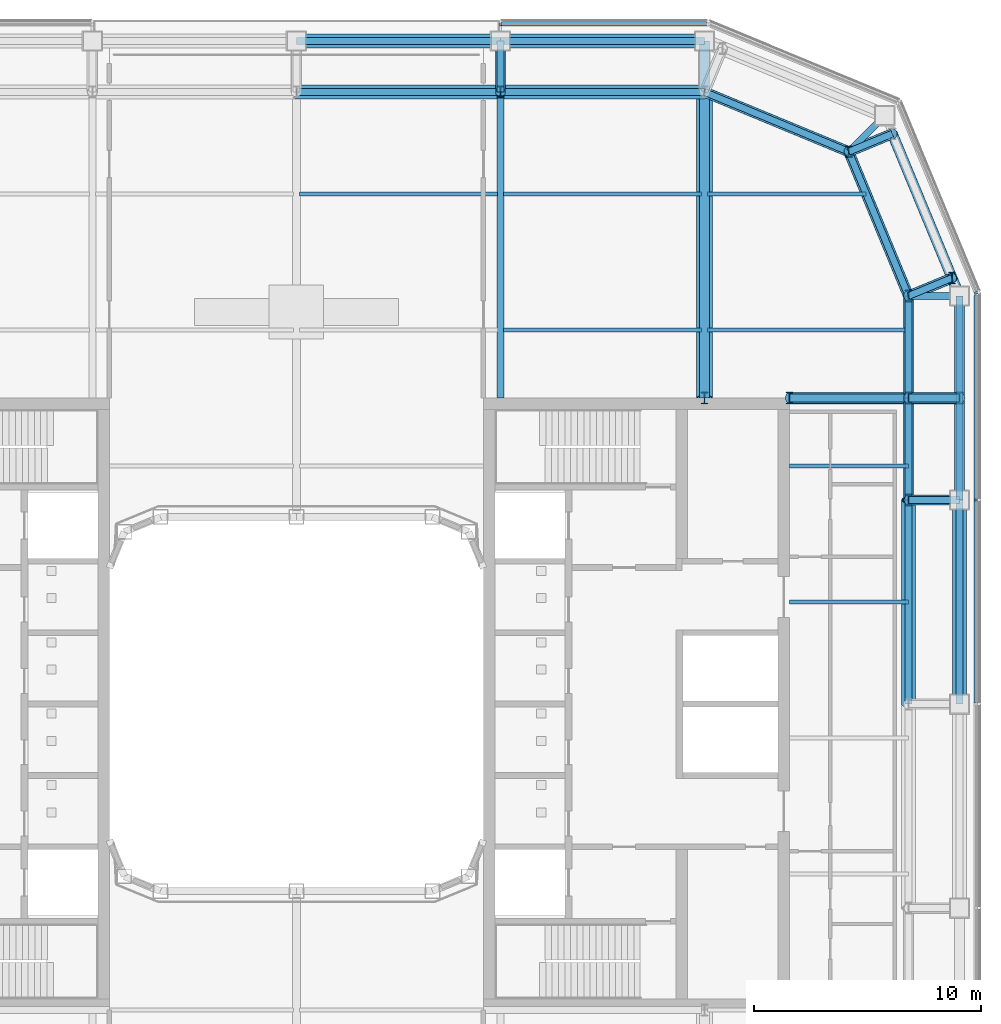
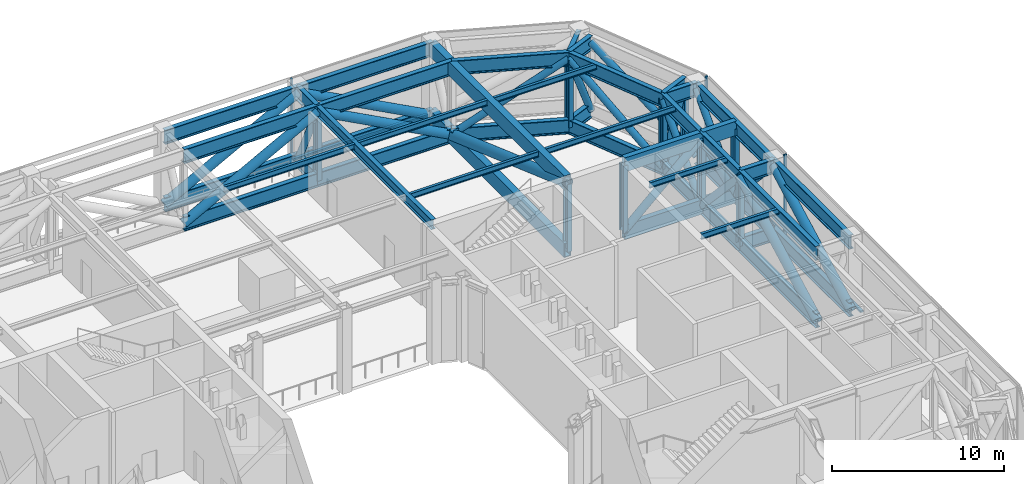
# One storey, part 8 of 22: 46 beams, 35 members, 3 elements without a shape of their own.
"""IFC4 building model written with IfcOpenShell, lengths in metres."""

from ifc_helpers import new_model, si_unit, direction, frame, origin, origin_2d, place, context, subcontext, project, spatial, rectangle, hollow_rectangle, hollow_circle, i_section, extrude, material, layer, layer_set, material_profile, profile_set, type_object, element, aggregate, save


model = new_model("IFC4")

# Units and contexts
model_context = context("Model", 3, precision=1e-05, world=origin(), true_north=direction((0.0, 1.0)))
body_context = subcontext(model_context, "Body", "Model", "MODEL_VIEW")
ifc_project = project(units=[si_unit("LENGTHUNIT", "METRE"), si_unit("AREAUNIT", "SQUARE_METRE"), si_unit("VOLUMEUNIT", "CUBIC_METRE"), si_unit("PLANEANGLEUNIT", "RADIAN"), si_unit("MASSUNIT", "GRAM", prefix="KILO")], contexts=[model_context])

# Site, building, storey
site_placement = place(None, origin())
site = spatial("IfcSite", under=ifc_project, at=site_placement, CompositionType="ELEMENT")
building_placement = place(site_placement, origin())
building = spatial("IfcBuilding", under=site, at=building_placement, Name="Siwar Civic Tower", CompositionType="ELEMENT")
storey_placement = place(building_placement, frame((0.0, 0.0, 181.199951171875)))
storey = spatial("IfcBuildingStorey", under=building, at=storey_placement, Name="L39", CompositionType="ELEMENT", Elevation=181.199951171875)

# Curtain wall, member
ifc_material_1 = material(Name="Aluminium and glass", Category="aluminium")
ifc_layer = layer(ifc_material_1, 0.199951171875)
ifc_layer_set = layer_set([ifc_layer], Name="Aluminium and glass")
curtain_wall_type = type_object("IfcCurtainWallType", Name="ENV-CW-P", PredefinedType="NOTDEFINED", material=ifc_layer_set)
curtain_wall_1_placement = place(storey_placement, origin())
curtain_wall_1 = element("IfcCurtainWall", 1, at=curtain_wall_1_placement, inside=storey, type_object=curtain_wall_type, Name="Curtain wall P E", PredefinedType="NOTDEFINED")
ifc_material_2 = material(Name="Aluminium 6063-T6", Category="aluminium")
ifc_material_profile_1 = material_profile(ifc_material_2, rectangle(XDim=0.199951171875, YDim=0.10009765625, at=origin_2d()), Name="AL 200x100")
ifc_profile_set_1 = profile_set([ifc_material_profile_1], Name="Aluminium 6063-T6")
member_type_1 = type_object("IfcMemberType", Name="ENV-MULLION-P", PredefinedType="MULLION", material=ifc_profile_set_1)
member_1_placement = place(storey_placement, frame((30.0, 9.0, 0.0), z_axis=(0.0, 0.0, 1.0), x_axis=(-1.0, 0.0, 0.0)))
member_1 = element("IfcMember", 2, at=member_1_placement, type_object=member_type_1, Name="Mullion P E 4", PredefinedType="MULLION", context=body_context, shape_type="SweptSolid", body=[
    extrude(rectangle(XDim=0.199951171875, YDim=0.10009765625, at=origin_2d()), origin(), (0.0, 0.0, 1.0), 5.800048828125),
])

curtain_wall_2_placement = place(storey_placement, origin())
curtain_wall_2 = element("IfcCurtainWall", 3, at=curtain_wall_2_placement, inside=storey, type_object=curtain_wall_type, Name="Curtain wall P NE1", PredefinedType="NOTDEFINED")
member_2_placement = place(storey_placement, frame((30.0, 18.149169921875, 0.0), z_axis=(0.0, 0.0, 1.0), x_axis=(-0.923879532511, -0.382683432365, 0.0)))
member_2 = element("IfcMember", 4, at=member_2_placement, type_object=member_type_1, Name="Mullion P NE1 1", PredefinedType="MULLION", context=body_context, shape_type="SweptSolid", body=[
    extrude(rectangle(XDim=0.199951171875, YDim=0.10009765625, at=origin_2d()), origin(), (0.0, 0.0, 1.0), 5.800048828125),
])
aggregate(curtain_wall_2, [member_2])

curtain_wall_3_placement = place(storey_placement, origin())
curtain_wall_3 = element("IfcCurtainWall", 5, at=curtain_wall_3_placement, inside=storey, type_object=curtain_wall_type, Name="Curtain wall P N-00", PredefinedType="NOTDEFINED")
member_3_placement = place(storey_placement, frame((9.0, 30.0, 0.0), z_axis=(0.0, 0.0, 1.0), x_axis=(0.0, -1.0, 0.0)))
member_3 = element("IfcMember", 6, at=member_3_placement, type_object=member_type_1, Name="Mullion P N-00 2", PredefinedType="MULLION", context=body_context, shape_type="SweptSolid", body=[
    extrude(rectangle(XDim=0.199951171875, YDim=0.10009765625, at=origin_2d()), origin(), (0.0, 0.0, 1.0), 5.800048828125),
])

# Member
ifc_material_3 = material(Name="Aluminium 6063-T6", Category="aluminium")
ifc_material_profile_2 = material_profile(ifc_material_3, rectangle(XDim=0.199951171875, YDim=0.1201171875, at=origin_2d()), Name="AL 200x120")
ifc_profile_set_2 = profile_set([ifc_material_profile_2], Name="Aluminium 6063-T6")
member_type_2 = type_object("IfcMemberType", Name="ENV-TRANSOM-P", PredefinedType="USERDEFINED", material=ifc_profile_set_2)
member_4_placement = place(storey_placement, frame((30.0, 0.050048828125, 0.06005859375), z_axis=(0.0, 1.0, 0.0), x_axis=(-1.0, 0.0, 0.0)))
member_4 = element("IfcMember", 7, at=member_4_placement, type_object=member_type_2, Name="Transom P E 3", ObjectType="TRANSOM", PredefinedType="USERDEFINED", context=body_context, shape_type="SweptSolid", body=[
    extrude(rectangle(XDim=0.199951171875, YDim=0.1201171875, at=origin_2d()), origin(), (0.0, 0.0, 1.0), 8.89990234375),
])

member_5_placement = place(storey_placement, frame((30.0, 9.050048828125, 0.06005859375), z_axis=(0.0, 1.0, 0.0), x_axis=(-1.0, 0.0, 0.0)))
member_5 = element("IfcMember", 8, at=member_5_placement, type_object=member_type_2, Name="Transom P E 4", ObjectType="TRANSOM", PredefinedType="USERDEFINED", context=body_context, shape_type="SweptSolid", body=[
    extrude(rectangle(XDim=0.199951171875, YDim=0.1201171875, at=origin_2d()), origin(), (0.0, 0.0, 1.0), 8.97314453125),
])

aggregate(curtain_wall_1, [member_1, member_4, member_5])

member_6_placement = place(storey_placement, frame((18.09912109375, 30.0, 0.06005859375), z_axis=(-1.0, 0.0, 0.0), x_axis=(0.0, -1.0, 0.0)))
member_6 = element("IfcMember", 9, at=member_6_placement, type_object=member_type_2, Name="Transom P N-00 1", ObjectType="TRANSOM", PredefinedType="USERDEFINED", context=body_context, shape_type="SweptSolid", body=[
    extrude(rectangle(XDim=0.199951171875, YDim=0.1201171875, at=origin_2d()), origin(), (0.0, 0.0, 1.0), 9.049072265625),
])

aggregate(curtain_wall_3, [member_3, member_6])

# Beams
ifc_material_4 = material(Name="Steel S460", Category="steel")
ifc_material_profile_3 = material_profile(ifc_material_4, i_section(OverallWidth=0.302001953125, OverallDepth=1.008056640625, WebThickness=0.02099609375, FlangeThickness=0.0400390625, FilletRadius=0.030029296875, at=origin_2d()), Name="HEM1000")
ifc_profile_set_3 = profile_set([ifc_material_profile_3], Name="Steel S460")
beam_type_1 = type_object("IfcBeamType", Name="STR-BELT-TRUSS-CHORD-HEM1000", PredefinedType="BEAM", material=ifc_profile_set_3)
for number, where, z_axis, x_axis, name in (
    (10, (27.0, 0.0, 0.504150390625), (0.0, 1.0, 0.0), (-1.0, 0.0, 0.0), "Belt truss chord"),
    (11, (27.0, 0.0, 5.296142578125), (0.0, 1.0, 0.0), (-1.0, 0.0, 0.0), "Belt truss chord"),
):
    element("IfcBeam", number, at=place(storey_placement, frame(where, z_axis=z_axis, x_axis=x_axis)), inside=storey, type_object=beam_type_1, Name=name, PredefinedType="BEAM", context=body_context, shape_type="SweptSolid", body=[
        extrude(i_section(OverallWidth=0.302001953125, OverallDepth=1.008056640625, WebThickness=0.02099609375, FlangeThickness=0.0400390625, FilletRadius=0.030029296875, at=origin_2d()), origin(), (0.0, 0.0, 1.0), 9.0),
    ])
for number, where, z_axis, x_axis, name in (
    (12, (27.0, 9.0, 0.504150390625), (0.0, 1.0, 0.0), (-1.0, 0.0, 0.0), "Belt truss chord"),
    (13, (27.0, 9.0, 5.296142578125), (0.0, 1.0, 0.0), (-1.0, 0.0, 0.0), "Belt truss chord"),
    (14, (27.0, 13.5, 0.504150390625), (0.0, 1.0, 0.0), (-1.0, 0.0, 0.0), "Belt truss chord"),
    (15, (27.0, 13.5, 5.296142578125), (0.0, 1.0, 0.0), (-1.0, 0.0, 0.0), "Belt truss chord"),
):
    element("IfcBeam", number, at=place(storey_placement, frame(where, z_axis=z_axis, x_axis=x_axis)), inside=storey, type_object=beam_type_1, Name=name, PredefinedType="BEAM", context=body_context, shape_type="SweptSolid", body=[
        extrude(i_section(OverallWidth=0.302001953125, OverallDepth=1.008056640625, WebThickness=0.02099609375, FlangeThickness=0.0400390625, FilletRadius=0.030029296875, at=origin_2d()), origin(), (0.0, 0.0, 1.0), 4.5),
    ])
for number, where, z_axis, x_axis, name in (
    (16, (27.0, 18.0, 0.504150390625), (-0.382674207535, 0.923883353507, 0.0), (-0.923883353507, -0.382674207535, 0.0), "Belt truss chord"),
    (17, (27.0, 18.0, 5.296142578125), (-0.382674207535, 0.923883353507, 0.0), (-0.923883353507, -0.382674207535, 0.0), "Belt truss chord"),
    (18, (24.364013671875, 24.364013671875, 0.504150390625), (-0.923883353507, 0.382674207535, 0.0), (-0.382674207535, -0.923883353507, 0.0), "Belt truss chord"),
    (19, (24.364013671875, 24.364013671875, 5.296142578125), (-0.923883353507, 0.382674207535, 0.0), (-0.382674207535, -0.923883353507, 0.0), "Belt truss chord"),
):
    element("IfcBeam", number, at=place(storey_placement, frame(where, z_axis=z_axis, x_axis=x_axis)), inside=storey, type_object=beam_type_1, Name=name, PredefinedType="BEAM", context=body_context, shape_type="SweptSolid", body=[
        extrude(i_section(OverallWidth=0.302001953125, OverallDepth=1.008056640625, WebThickness=0.02099609375, FlangeThickness=0.0400390625, FilletRadius=0.030029296875, at=origin_2d()), origin(), (0.0, 0.0, 1.0), 6.888427734375),
    ])
for number, where, z_axis, x_axis, name in (
    (20, (18.0, 27.0, 0.504150390625), (-1.0, 0.0, 0.0), (0.0, -1.0, 0.0), "Belt truss chord"),
    (21, (18.0, 27.0, 5.296142578125), (-1.0, 0.0, 0.0), (0.0, -1.0, 0.0), "Belt truss chord"),
    (22, (9.0, 27.0, 0.504150390625), (-1.0, 0.0, 0.0), (0.0, -1.0, 0.0), "Belt truss chord"),
    (23, (9.0, 27.0, 5.296142578125), (-1.0, 0.0, 0.0), (0.0, -1.0, 0.0), "Belt truss chord"),
    (24, (29.25, 0.0, 0.504150390625), (0.0, 1.0, 0.0), (-1.0, 0.0, 0.0), "Belt truss chord"),
    (25, (29.25, 0.0, 5.296142578125), (0.0, 1.0, 0.0), (-1.0, 0.0, 0.0), "Belt truss chord"),
    (26, (29.25, 9.0, 0.504150390625), (0.0, 1.0, 0.0), (-1.0, 0.0, 0.0), "Belt truss chord"),
    (27, (29.25, 9.0, 5.296142578125), (0.0, 1.0, 0.0), (-1.0, 0.0, 0.0), "Belt truss chord"),
    (28, (18.0, 29.25, 0.504150390625), (-1.0, 0.0, 0.0), (0.0, -1.0, 0.0), "Belt truss chord"),
    (29, (18.0, 29.25, 5.296142578125), (-1.0, 0.0, 0.0), (0.0, -1.0, 0.0), "Belt truss chord"),
    (30, (9.0, 29.25, 0.504150390625), (-1.0, 0.0, 0.0), (0.0, -1.0, 0.0), "Belt truss chord"),
    (31, (9.0, 29.25, 5.296142578125), (-1.0, 0.0, 0.0), (0.0, -1.0, 0.0), "Belt truss chord"),
):
    element("IfcBeam", number, at=place(storey_placement, frame(where, z_axis=z_axis, x_axis=x_axis)), inside=storey, type_object=beam_type_1, Name=name, PredefinedType="BEAM", context=body_context, shape_type="SweptSolid", body=[
        extrude(i_section(OverallWidth=0.302001953125, OverallDepth=1.008056640625, WebThickness=0.02099609375, FlangeThickness=0.0400390625, FilletRadius=0.030029296875, at=origin_2d()), origin(), (0.0, 0.0, 1.0), 9.0),
    ])

# Members
ifc_material_5 = material(Name="Steel S355", Category="steel")
ifc_material_profile_4 = material_profile(ifc_material_5, hollow_circle(Radius=0.228515625, WallThickness=0.02001953125, at=origin_2d()), Name="CHS457x20")
ifc_profile_set_4 = profile_set([ifc_material_profile_4], Name="Steel S355")
member_type_3 = type_object("IfcMemberType", Name="STR-BELT-TRUSS-DIAGONAL-CHS457x20", PredefinedType="BRACE", material=ifc_profile_set_4)
for number, where, z_axis, x_axis, name in (
    (32, (27.0, 13.50341796875, 0.50048828125), (0.0, -0.684545317859, 0.728970306526), (1.0, 0.0, 0.0), "Belt truss diagonal"),
    (33, (27.0, 13.49658203125, 0.50048828125), (0.0, 0.684545317859, 0.728970306526), (-1.0, 0.0, 0.0), "Belt truss diagonal"),
):
    element("IfcMember", number, at=place(storey_placement, frame(where, z_axis=z_axis, x_axis=x_axis)), inside=storey, type_object=member_type_3, Name=name, PredefinedType="BRACE", context=body_context, shape_type="SweptSolid", body=[
        extrude(hollow_circle(Radius=0.228515625, WallThickness=0.02001953125, at=origin_2d()), origin(), (0.0, 0.0, 1.0), 6.583740234375),
    ])
for number, where, z_axis, x_axis, name in (
    (34, (27.00146484375, 17.99609375, 0.501220703125), (-0.314142859752, 0.758418164088, 0.571065803606), (-0.923881354208, -0.38267903437, 0.0), "Belt truss diagonal"),
    (35, (17.99609375, 27.00146484375, 0.501220703125), (0.758418164088, -0.314142859752, 0.571065803606), (0.38267903437, 0.923881354208, 0.0), "Belt truss diagonal"),
):
    element("IfcMember", number, at=place(storey_placement, frame(where, z_axis=z_axis, x_axis=x_axis)), inside=storey, type_object=member_type_3, Name=name, PredefinedType="BRACE", context=body_context, shape_type="SweptSolid", body=[
        extrude(hollow_circle(Radius=0.228515625, WallThickness=0.02001953125, at=origin_2d()), origin(), (0.0, 0.0, 1.0), 8.401123046875),
    ])
for number, where, z_axis, x_axis, name in (
    (36, (29.25, 13.50341796875, 0.50048828125), (0.0, -0.684545317859, 0.728970306526), (1.0, 0.0, 0.0), "Belt truss diagonal"),
    (37, (29.25, 13.49658203125, 0.50048828125), (0.0, 0.684545317859, 0.728970306526), (-1.0, 0.0, 0.0), "Belt truss diagonal"),
):
    element("IfcMember", number, at=place(storey_placement, frame(where, z_axis=z_axis, x_axis=x_axis)), inside=storey, type_object=member_type_3, Name=name, PredefinedType="BRACE", context=body_context, shape_type="SweptSolid", body=[
        extrude(hollow_circle(Radius=0.228515625, WallThickness=0.02001953125, at=origin_2d()), origin(), (0.0, 0.0, 1.0), 6.583740234375),
    ])
member_7_placement = place(storey_placement, frame((29.251708984375, 17.99609375, 0.50146484375), z_axis=(-0.325504254378, 0.785776531187, 0.525929865493), x_axis=(-0.923869157387, -0.38270847917, 0.0)))
element("IfcMember", 38, at=member_7_placement, inside=storey, type_object=member_type_3, Name="Belt truss diagonal", PredefinedType="BRACE", context=body_context, shape_type="SweptSolid", body=[
    extrude(hollow_circle(Radius=0.228515625, WallThickness=0.02001953125, at=origin_2d()), origin(), (0.0, 0.0, 1.0), 9.12109375),
])
member_8_placement = place(storey_placement, frame((29.252197265625, 9.0, 0.49951171875), z_axis=(-0.425038765055, 0.0, 0.905175147803), x_axis=(0.0, -1.0, 0.0)))
element("IfcMember", 39, at=member_8_placement, inside=storey, type_object=member_type_3, Name="Belt truss diagonal", PredefinedType="BRACE", context=body_context, shape_type="SweptSolid", body=[
    extrude(hollow_circle(Radius=0.228515625, WallThickness=0.02001953125, at=origin_2d()), origin(), (0.0, 0.0, 1.0), 5.303955078125),
])
for number, where, z_axis, x_axis, name in (
    (40, (26.998046875, 17.999267578125, 0.49951171875), (0.367703299168, 0.15226891252, 0.917392207325), (-0.382600257719, 0.923913980191, 0.0), "Belt truss diagonal"),
    (41, (26.286376953125, 25.16015625, 0.49951171875), (-0.367703299168, -0.15226891252, 0.917392207325), (0.382600257719, -0.923913980191, 0.0), "Belt truss diagonal"),
):
    element("IfcMember", number, at=place(storey_placement, frame(where, z_axis=z_axis, x_axis=x_axis)), inside=storey, type_object=member_type_3, Name=name, PredefinedType="BRACE", context=body_context, shape_type="SweptSolid", body=[
        extrude(hollow_circle(Radius=0.228515625, WallThickness=0.02001953125, at=origin_2d()), origin(), (0.0, 0.0, 1.0), 5.2333984375),
    ])
member_9_placement = place(storey_placement, frame((9.0, 29.252197265625, 0.49951171875), z_axis=(0.0, -0.425038765055, 0.905175147803), x_axis=(1.0, 0.0, 0.0)))
element("IfcMember", 42, at=member_9_placement, inside=storey, type_object=member_type_3, Name="Belt truss diagonal", PredefinedType="BRACE", context=body_context, shape_type="SweptSolid", body=[
    extrude(hollow_circle(Radius=0.228515625, WallThickness=0.02001953125, at=origin_2d()), origin(), (0.0, 0.0, 1.0), 5.303955078125),
])
ifc_material_6 = material(Name="Steel S355", Category="steel")
ifc_material_profile_5 = material_profile(ifc_material_6, hollow_circle(Radius=0.304931640625, WallThickness=0.030029296875, at=origin_2d()), Name="CHS610x30")
ifc_profile_set_5 = profile_set([ifc_material_profile_5], Name="Steel S355")
member_type_4 = type_object("IfcMemberType", Name="STR-BELT-TRUSS-DIAGONAL-CHS610x30", PredefinedType="BRACE", material=ifc_profile_set_5)
for number, where, z_axis, x_axis, name in (
    (43, (27.0, -0.00439453125, 0.501708984375), (0.0, 0.882680501151, 0.469973544881), (-1.0, 0.0, 0.0), "Belt truss diagonal"),
    (44, (18.00439453125, 27.0, 0.501708984375), (-0.882680501151, 0.0, 0.469973544881), (0.0, -1.0, 0.0), "Belt truss diagonal"),
    (45, (-0.00439453125, 27.0, 0.501708984375), (0.882680501151, 0.0, 0.469973544881), (0.0, 1.0, 0.0), "Belt truss diagonal"),
    (46, (29.25, -0.00439453125, 0.501708984375), (0.0, 0.882680501151, 0.469973544881), (-1.0, 0.0, 0.0), "Belt truss diagonal"),
    (47, (18.00439453125, 29.25, 0.501708984375), (-0.882680501151, 0.0, 0.469973544881), (0.0, -1.0, 0.0), "Belt truss diagonal"),
    (48, (-0.00439453125, 29.25, 0.501708984375), (0.882680501151, 0.0, 0.469973544881), (0.0, 1.0, 0.0), "Belt truss diagonal"),
):
    element("IfcMember", number, at=place(storey_placement, frame(where, z_axis=z_axis, x_axis=x_axis)), inside=storey, type_object=member_type_4, Name=name, PredefinedType="BRACE", context=body_context, shape_type="SweptSolid", body=[
        extrude(hollow_circle(Radius=0.304931640625, WallThickness=0.030029296875, at=origin_2d()), origin(), (0.0, 0.0, 1.0), 10.2060546875),
    ])

# Beams
ifc_material_7 = material(Name="Steel S460", Category="steel")
ifc_material_profile_6 = material_profile(ifc_material_7, i_section(OverallWidth=0.302001953125, OverallDepth=1.008056640625, WebThickness=0.02099609375, FlangeThickness=0.0400390625, FilletRadius=0.030029296875, at=origin_2d()), Name="HEM1000")
ifc_profile_set_6 = profile_set([ifc_material_profile_6], Name="Steel S460")
beam_type_2 = type_object("IfcBeamType", Name="STR-BELT-TRUSS-LADDER-CHORD-HEM1000", PredefinedType="BEAM", material=ifc_profile_set_6)
for number, where, z_axis, x_axis, name in (
    (49, (27.0, 9.0, 0.504150390625), (1.0, 0.0, 0.0), (0.0, 1.0, 0.0), "Belt truss ladder chord"),
    (50, (27.0, 9.0, 5.296142578125), (1.0, 0.0, 0.0), (0.0, 1.0, 0.0), "Belt truss ladder chord"),
):
    element("IfcBeam", number, at=place(storey_placement, frame(where, z_axis=z_axis, x_axis=x_axis)), inside=storey, type_object=beam_type_2, Name=name, PredefinedType="BEAM", context=body_context, shape_type="SweptSolid", body=[
        extrude(i_section(OverallWidth=0.302001953125, OverallDepth=1.008056640625, WebThickness=0.02099609375, FlangeThickness=0.0400390625, FilletRadius=0.030029296875, at=origin_2d()), origin(), (0.0, 0.0, 1.0), 2.25),
    ])
for number, where, z_axis, x_axis, name in (
    (51, (27.0, 18.0, 0.504150390625), (0.923887998679, 0.382662992588, 0.0), (-0.382662992588, 0.923887998679, 0.0), "Belt truss ladder chord"),
    (52, (27.0, 18.0, 5.296142578125), (0.923887998679, 0.382662992588, 0.0), (-0.382662992588, 0.923887998679, 0.0), "Belt truss ladder chord"),
    (53, (24.364013671875, 24.364013671875, 0.504150390625), (0.923887998679, 0.382662992588, 0.0), (-0.382662992588, 0.923887998679, 0.0), "Belt truss ladder chord"),
    (54, (24.364013671875, 24.364013671875, 5.296142578125), (0.923887998679, 0.382662992588, 0.0), (-0.382662992588, 0.923887998679, 0.0), "Belt truss ladder chord"),
):
    element("IfcBeam", number, at=place(storey_placement, frame(where, z_axis=z_axis, x_axis=x_axis)), inside=storey, type_object=beam_type_2, Name=name, PredefinedType="BEAM", context=body_context, shape_type="SweptSolid", body=[
        extrude(i_section(OverallWidth=0.302001953125, OverallDepth=1.008056640625, WebThickness=0.02099609375, FlangeThickness=0.0400390625, FilletRadius=0.030029296875, at=origin_2d()), origin(), (0.0, 0.0, 1.0), 2.07861328125),
    ])
for number, where, z_axis, x_axis, name in (
    (55, (9.0, 27.0, 0.504150390625), (0.0, 1.0, 0.0), (-1.0, 0.0, 0.0), "Belt truss ladder chord"),
    (56, (9.0, 27.0, 5.296142578125), (0.0, 1.0, 0.0), (-1.0, 0.0, 0.0), "Belt truss ladder chord"),
):
    element("IfcBeam", number, at=place(storey_placement, frame(where, z_axis=z_axis, x_axis=x_axis)), inside=storey, type_object=beam_type_2, Name=name, PredefinedType="BEAM", context=body_context, shape_type="SweptSolid", body=[
        extrude(i_section(OverallWidth=0.302001953125, OverallDepth=1.008056640625, WebThickness=0.02099609375, FlangeThickness=0.0400390625, FilletRadius=0.030029296875, at=origin_2d()), origin(), (0.0, 0.0, 1.0), 2.25),
    ])

# Members
ifc_material_8 = material(Name="Steel S355", Category="steel")
ifc_material_profile_7 = material_profile(ifc_material_8, i_section(OverallWidth=0.300048828125, OverallDepth=0.5, WebThickness=0.014404296875, FlangeThickness=0.028076171875, FilletRadius=0.027099609375, at=origin_2d()), Name="HEB500")
ifc_profile_set_7 = profile_set([ifc_material_profile_7], Name="Steel S355")
member_type_5 = type_object("IfcMemberType", Name="STR-BELT-TRUSS-POST-HEB500", PredefinedType="POST", material=ifc_profile_set_7)
for number, where, z_axis, x_axis, name in (
    (57, (9.0, 27.0, 0.504150390625), (0.0, 0.0, 1.0), (1.0, 0.0, 0.0), "Belt truss post"),
    (58, (24.364013671875, 24.364013671875, 0.504150390625), (0.0, 0.0, 1.0), (1.0, 0.0, 0.0), "Belt truss post"),
    (59, (27.0, 9.0, 0.504150390625), (0.0, 0.0, 1.0), (1.0, 0.0, 0.0), "Belt truss post"),
    (60, (27.0, 13.5, 0.504150390625), (0.0, 0.0, 1.0), (1.0, 0.0, 0.0), "Belt truss post"),
    (61, (27.0, 18.0, 0.504150390625), (0.0, 0.0, 1.0), (1.0, 0.0, 0.0), "Belt truss post"),
    (62, (28.92041015625, 18.79541015625, 0.504150390625), (0.0, 0.0, 1.0), (1.0, 0.0, 0.0), "Belt truss post"),
    (63, (29.25, 13.5, 0.504150390625), (0.0, 0.0, 1.0), (1.0, 0.0, 0.0), "Belt truss post"),
):
    element("IfcMember", number, at=place(storey_placement, frame(where, z_axis=z_axis, x_axis=x_axis)), inside=storey, type_object=member_type_5, Name=name, PredefinedType="POST", context=body_context, shape_type="SweptSolid", body=[
        extrude(i_section(OverallWidth=0.300048828125, OverallDepth=0.5, WebThickness=0.014404296875, FlangeThickness=0.028076171875, FilletRadius=0.027099609375, at=origin_2d()), origin(), (0.0, 0.0, 1.0), 4.7919921875),
    ])

# Beams
ifc_material_9 = material(Name="Steel S355", Category="steel")
ifc_material_profile_8 = material_profile(ifc_material_9, i_section(OverallWidth=0.179931640625, OverallDepth=0.39990234375, WebThickness=0.008544921875, FlangeThickness=0.013427734375, FilletRadius=0.02099609375, at=origin_2d()), Name="IPE400")
ifc_profile_set_8 = profile_set([ifc_material_profile_8], Name="Steel S355")
beam_type_3 = type_object("IfcBeamType", Name="STR-FB-IPE400", PredefinedType="JOIST", material=ifc_profile_set_8)
for number, where, z_axis, x_axis, name in (
    (64, (21.75, 4.5, 5.60009765625), (1.0, 0.0, 0.0), (0.0, 1.0, 0.0), "L39/bm/F022"),
    (65, (21.75, 10.5, 5.60009765625), (1.0, 0.0, 0.0), (0.0, 1.0, 0.0), "L39/bm/F026"),
):
    element("IfcBeam", number, at=place(storey_placement, frame(where, z_axis=z_axis, x_axis=x_axis)), inside=storey, type_object=beam_type_3, Name=name, PredefinedType="JOIST", context=body_context, shape_type="SweptSolid", body=[
        extrude(i_section(OverallWidth=0.179931640625, OverallDepth=0.39990234375, WebThickness=0.008544921875, FlangeThickness=0.013427734375, FilletRadius=0.02099609375, at=origin_2d()), origin(), (0.0, 0.0, 1.0), 5.25),
    ])
beam_1_placement = place(storey_placement, frame((9.1298828125, 16.5, 5.60009765625), z_axis=(1.0, 0.0, 0.0), x_axis=(0.0, 1.0, 0.0)))
element("IfcBeam", 66, at=beam_1_placement, inside=storey, type_object=beam_type_3, Name="L39/bm/F031", PredefinedType="JOIST", context=body_context, shape_type="SweptSolid", body=[
    extrude(i_section(OverallWidth=0.179931640625, OverallDepth=0.39990234375, WebThickness=0.008544921875, FlangeThickness=0.013427734375, FilletRadius=0.02099609375, at=origin_2d()), origin(), (0.0, 0.0, 1.0), 8.740234375),
])
beam_2_placement = place(storey_placement, frame((18.1298828125, 16.5, 5.60009765625), z_axis=(1.0, 0.0, 0.0), x_axis=(0.0, 1.0, 0.0)))
element("IfcBeam", 67, at=beam_2_placement, inside=storey, type_object=beam_type_3, Name="L39/bm/F032", PredefinedType="JOIST", context=body_context, shape_type="SweptSolid", body=[
    extrude(i_section(OverallWidth=0.179931640625, OverallDepth=0.39990234375, WebThickness=0.008544921875, FlangeThickness=0.013427734375, FilletRadius=0.02099609375, at=origin_2d()), origin(), (0.0, 0.0, 1.0), 8.8701171875),
])
for number, where, z_axis, x_axis, name in (
    (68, (0.1298828125, 22.5, 5.60009765625), (1.0, 0.0, 0.0), (0.0, 1.0, 0.0), "L39/bm/F036"),
    (69, (9.1298828125, 22.5, 5.60009765625), (1.0, 0.0, 0.0), (0.0, 1.0, 0.0), "L39/bm/F037"),
):
    element("IfcBeam", number, at=place(storey_placement, frame(where, z_axis=z_axis, x_axis=x_axis)), inside=storey, type_object=beam_type_3, Name=name, PredefinedType="JOIST", context=body_context, shape_type="SweptSolid", body=[
        extrude(i_section(OverallWidth=0.179931640625, OverallDepth=0.39990234375, WebThickness=0.008544921875, FlangeThickness=0.013427734375, FilletRadius=0.02099609375, at=origin_2d()), origin(), (0.0, 0.0, 1.0), 8.740234375),
    ])
beam_3_placement = place(storey_placement, frame((18.1298828125, 22.5, 5.60009765625), z_axis=(1.0, 0.0, 0.0), x_axis=(0.0, 1.0, 0.0)))
element("IfcBeam", 70, at=beam_3_placement, inside=storey, type_object=beam_type_3, Name="L39/bm/F038", PredefinedType="JOIST", context=body_context, shape_type="SweptSolid", body=[
    extrude(i_section(OverallWidth=0.179931640625, OverallDepth=0.39990234375, WebThickness=0.008544921875, FlangeThickness=0.013427734375, FilletRadius=0.02099609375, at=origin_2d()), origin(), (0.0, 0.0, 1.0), 7.006103515625),
])
ifc_material_10 = material(Name="Steel S460", Category="steel")
ifc_material_profile_9 = material_profile(ifc_material_10, hollow_rectangle(XDim=0.35009765625, YDim=1.008056640625, WallThickness=0.0400390625, at=origin_2d()), Name="BOX1008x350x40")
ifc_profile_set_9 = profile_set([ifc_material_profile_9], Name="Steel S460")
beam_type_4 = type_object("IfcBeamType", Name="STR-OUTRIGGER-TRUSS-CHORD-BOX1008x350x40", PredefinedType="BEAM", material=ifc_profile_set_9)
for number, where, z_axis, x_axis, name in (
    (71, (29.25, 13.5, 0.504150390625), (-1.0, 0.0, 0.0), (0.0, -1.0, 0.0), "Outrigger truss chord"),
    (72, (29.25, 13.5, 5.296142578125), (-1.0, 0.0, 0.0), (0.0, -1.0, 0.0), "Outrigger truss chord"),
):
    element("IfcBeam", number, at=place(storey_placement, frame(where, z_axis=z_axis, x_axis=x_axis)), inside=storey, type_object=beam_type_4, Name=name, PredefinedType="BEAM", context=body_context, shape_type="SweptSolid", body=[
        extrude(hollow_rectangle(XDim=0.35009765625, YDim=1.008056640625, WallThickness=0.0400390625, at=origin_2d()), origin(), (0.0, 0.0, 1.0), 2.25),
    ])
for number, where, z_axis, x_axis, name in (
    (73, (27.0, 13.5, 0.504150390625), (-1.0, 0.0, 0.0), (0.0, -1.0, 0.0), "Outrigger truss chord"),
    (74, (27.0, 13.5, 5.296142578125), (-1.0, 0.0, 0.0), (0.0, -1.0, 0.0), "Outrigger truss chord"),
):
    element("IfcBeam", number, at=place(storey_placement, frame(where, z_axis=z_axis, x_axis=x_axis)), inside=storey, type_object=beam_type_4, Name=name, PredefinedType="BEAM", context=body_context, shape_type="SweptSolid", body=[
        extrude(hollow_rectangle(XDim=0.35009765625, YDim=1.008056640625, WallThickness=0.0400390625, at=origin_2d()), origin(), (0.0, 0.0, 1.0), 5.25),
    ])
ifc_material_11 = material(Name="Steel S460", Category="steel")
ifc_material_profile_10 = material_profile(ifc_material_11, hollow_rectangle(XDim=0.449951171875, YDim=1.008056640625, WallThickness=0.044921875, at=origin_2d()), Name="BOX1008x450x45")
ifc_profile_set_10 = profile_set([ifc_material_profile_10], Name="Steel S460")
beam_type_5 = type_object("IfcBeamType", Name="STR-OUTRIGGER-TRUSS-CHORD-BOX1008x450x45", PredefinedType="BEAM", material=ifc_profile_set_10)
for number, where, z_axis, x_axis, name in (
    (75, (18.0, 29.25, 0.504150390625), (0.0, -1.0, 0.0), (1.0, 0.0, 0.0), "Outrigger truss chord"),
    (76, (18.0, 29.25, 5.296142578125), (0.0, -1.0, 0.0), (1.0, 0.0, 0.0), "Outrigger truss chord"),
):
    element("IfcBeam", number, at=place(storey_placement, frame(where, z_axis=z_axis, x_axis=x_axis)), inside=storey, type_object=beam_type_5, Name=name, PredefinedType="BEAM", context=body_context, shape_type="SweptSolid", body=[
        extrude(hollow_rectangle(XDim=0.449951171875, YDim=1.008056640625, WallThickness=0.044921875, at=origin_2d()), origin(), (0.0, 0.0, 1.0), 15.75),
    ])

# Members
ifc_material_12 = material(Name="Steel S355", Category="steel")
ifc_material_profile_11 = material_profile(ifc_material_12, hollow_circle(Radius=0.25390625, WallThickness=0.02490234375, at=origin_2d()), Name="CHS508x25")
ifc_profile_set_11 = profile_set([ifc_material_profile_11], Name="Steel S355")
member_type_6 = type_object("IfcMemberType", Name="STR-OUTRIGGER-TRUSS-DIAGONAL-CHS508x25", PredefinedType="BRACE", material=ifc_profile_set_11)
member_10_placement = place(storey_placement, frame((29.252197265625, 13.5, 0.49951171875), z_axis=(-0.425038765055, 0.0, 0.905175147803), x_axis=(0.0, -1.0, 0.0)))
element("IfcMember", 77, at=member_10_placement, inside=storey, type_object=member_type_6, Name="Outrigger truss diagonal", PredefinedType="BRACE", context=body_context, shape_type="SweptSolid", body=[
    extrude(hollow_circle(Radius=0.25390625, WallThickness=0.02490234375, at=origin_2d()), origin(), (0.0, 0.0, 1.0), 5.303955078125),
])
member_11_placement = place(storey_placement, frame((21.746337890625, 13.5, 0.500732421875), z_axis=(0.738596124999, 0.0, 0.674148176691), x_axis=(0.0, 1.0, 0.0)))
element("IfcMember", 78, at=member_11_placement, inside=storey, type_object=member_type_6, Name="Outrigger truss diagonal", PredefinedType="BRACE", context=body_context, shape_type="SweptSolid", body=[
    extrude(hollow_circle(Radius=0.25390625, WallThickness=0.02490234375, at=origin_2d()), origin(), (0.0, 0.0, 1.0), 7.117919921875),
])
ifc_material_13 = material(Name="Steel S355", Category="steel")
ifc_material_profile_12 = material_profile(ifc_material_13, hollow_circle(Radius=0.35546875, WallThickness=0.0400390625, at=origin_2d()), Name="CHS711x40")
ifc_profile_set_12 = profile_set([ifc_material_profile_12], Name="Steel S355")
member_type_7 = type_object("IfcMemberType", Name="STR-OUTRIGGER-TRUSS-DIAGONAL-CHS711x40", PredefinedType="BRACE", material=ifc_profile_set_12)
member_12_placement = place(storey_placement, frame((18.0, 27.004638671875, 0.50244140625), z_axis=(0.0, -0.942393631348, 0.334505969446), x_axis=(1.0, 0.0, 0.0)))
element("IfcMember", 79, at=member_12_placement, inside=storey, type_object=member_type_7, Name="Outrigger truss diagonal", PredefinedType="BRACE", context=body_context, shape_type="SweptSolid", body=[
    extrude(hollow_circle(Radius=0.35546875, WallThickness=0.0400390625, at=origin_2d()), origin(), (0.0, 0.0, 1.0), 14.3349609375),
])
ifc_material_14 = material(Name="Steel S355", Category="steel")
ifc_material_profile_13 = material_profile(ifc_material_14, i_section(OverallWidth=0.300048828125, OverallDepth=0.5, WebThickness=0.014404296875, FlangeThickness=0.028076171875, FilletRadius=0.027099609375, at=origin_2d()), Name="HEB500")
ifc_profile_set_13 = profile_set([ifc_material_profile_13], Name="Steel S355")
member_type_8 = type_object("IfcMemberType", Name="STR-OUTRIGGER-TRUSS-POST-HEB500", PredefinedType="POST", material=ifc_profile_set_13)
for number, where, z_axis, x_axis, name in (
    (80, (18.0, 13.5, 0.504150390625), (0.0, 0.0, 1.0), (1.0, 0.0, 0.0), "Outrigger truss post"),
    (81, (21.75, 13.5, 0.504150390625), (0.0, 0.0, 1.0), (1.0, 0.0, 0.0), "Outrigger truss post"),
):
    element("IfcMember", number, at=place(storey_placement, frame(where, z_axis=z_axis, x_axis=x_axis)), inside=storey, type_object=member_type_8, Name=name, PredefinedType="POST", context=body_context, shape_type="SweptSolid", body=[
        extrude(i_section(OverallWidth=0.300048828125, OverallDepth=0.5, WebThickness=0.014404296875, FlangeThickness=0.028076171875, FilletRadius=0.027099609375, at=origin_2d()), origin(), (0.0, 0.0, 1.0), 4.7919921875),
    ])

# Beams
ifc_material_15 = material(Name="Steel S355", Category="steel")
ifc_material_profile_14 = material_profile(ifc_material_15, i_section(OverallWidth=0.300048828125, OverallDepth=0.699951171875, WebThickness=0.01708984375, FlangeThickness=0.031982421875, FilletRadius=0.027099609375, at=origin_2d()), Name="HEB700")
ifc_profile_set_14 = profile_set([ifc_material_profile_14], Name="Steel S355")
beam_type_6 = type_object("IfcBeamType", Name="STR-PG-HEB700", PredefinedType="BEAM", material=ifc_profile_set_14)
beam_4_placement = place(storey_placement, frame((9.0, 13.5, 5.449951171875), z_axis=(0.0, 1.0, 0.0), x_axis=(-1.0, 0.0, 0.0)))
element("IfcBeam", 82, at=beam_4_placement, inside=storey, type_object=beam_type_6, Name="L39/bm/G06", PredefinedType="BEAM", context=body_context, shape_type="SweptSolid", body=[
    extrude(i_section(OverallWidth=0.300048828125, OverallDepth=0.699951171875, WebThickness=0.01708984375, FlangeThickness=0.031982421875, FilletRadius=0.027099609375, at=origin_2d()), origin(), (0.0, 0.0, 1.0), 13.5),
])
ifc_material_16 = material(Name="Steel S460", Category="steel")
ifc_material_profile_15 = material_profile(ifc_material_16, i_section(OverallWidth=0.302001953125, OverallDepth=1.008056640625, WebThickness=0.02099609375, FlangeThickness=0.0400390625, FilletRadius=0.030029296875, at=origin_2d()), Name="HEM1000")
ifc_profile_set_15 = profile_set([ifc_material_profile_15], Name="Steel S460")
beam_type_7 = type_object("IfcBeamType", Name="STR-TRANSFER-GIRDER-HEM1000", PredefinedType="BEAM", material=ifc_profile_set_15)
beam_5_placement = place(storey_placement, frame((27.0, 18.0, 5.296142578125), z_axis=(1.0, 0.0, 0.0), x_axis=(0.0, 1.0, 0.0)))
element("IfcBeam", 83, at=beam_5_placement, inside=storey, type_object=beam_type_7, Name="Transfer girder", PredefinedType="BEAM", context=body_context, shape_type="SweptSolid", body=[
    extrude(i_section(OverallWidth=0.302001953125, OverallDepth=1.008056640625, WebThickness=0.02099609375, FlangeThickness=0.0400390625, FilletRadius=0.030029296875, at=origin_2d()), origin(), (0.0, 0.0, 1.0), 2.25),
])
beam_6_placement = place(storey_placement, frame((24.364013671875, 24.364013671875, 5.296142578125), z_axis=(0.707106781187, 0.707106781187, 0.0), x_axis=(-0.707106781187, 0.707106781187, 0.0)))
element("IfcBeam", 84, at=beam_6_placement, inside=storey, type_object=beam_type_7, Name="Transfer girder", PredefinedType="BEAM", context=body_context, shape_type="SweptSolid", body=[
    extrude(i_section(OverallWidth=0.302001953125, OverallDepth=1.008056640625, WebThickness=0.02099609375, FlangeThickness=0.0400390625, FilletRadius=0.030029296875, at=origin_2d()), origin(), (0.0, 0.0, 1.0), 2.249755859375),
])

save(model, "model.ifc")
